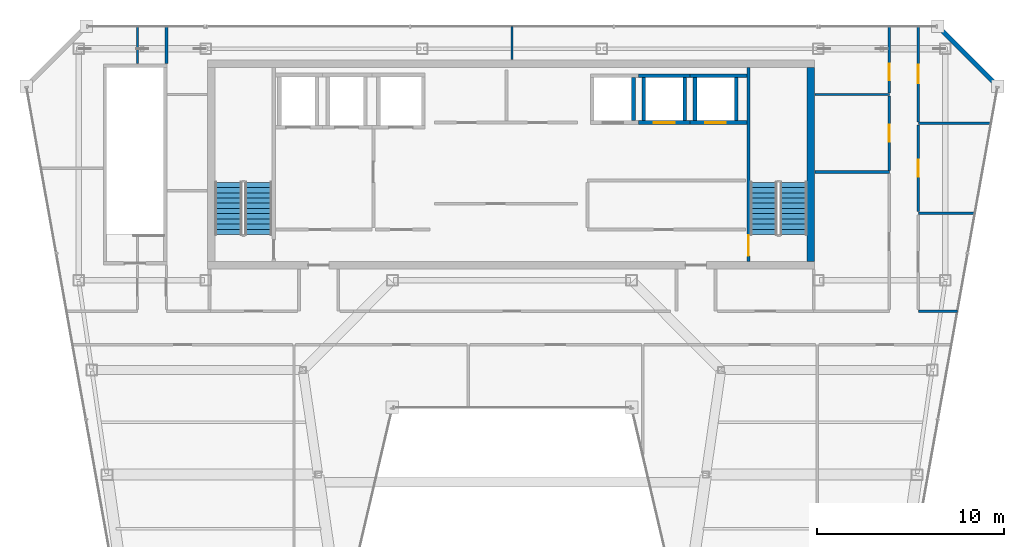
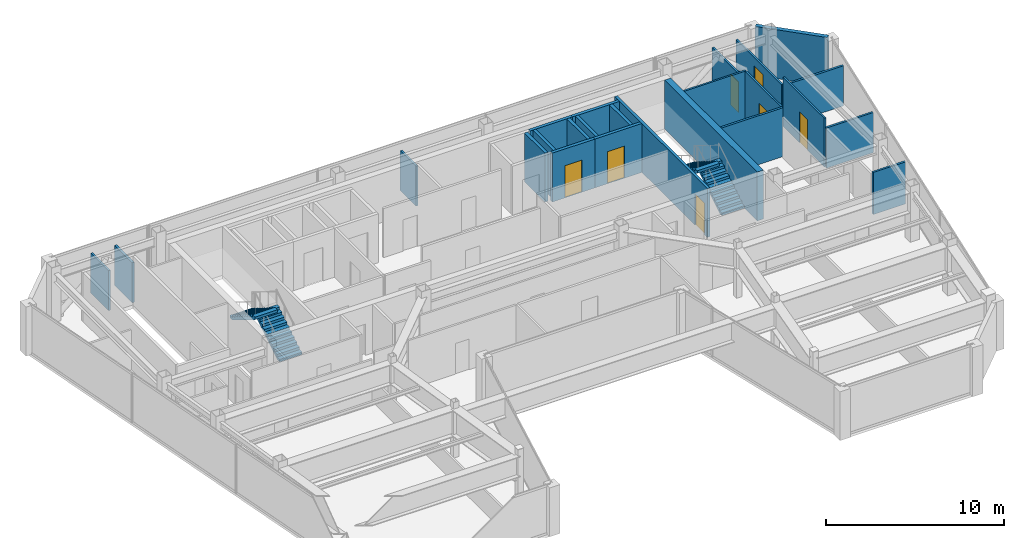
# One storey, part 27 of 30: 24 walls, 7 doors, 4 stair flights, 7 openings, 2 elements without a shape of their own.
"""IFC4 building model written with IfcOpenShell, lengths in metres."""

from ifc_helpers import new_model, si_unit, direction, frame, frame_2d, origin, place, context, subcontext, project, spatial, polyline, rectangle, outline, extrude, material, layer, layer_set, type_object, element, fill, aggregate, save


model = new_model("IFC4")

# Units and contexts
model_context = context("Model", 3, precision=1e-05, world=origin(), true_north=direction((0.0, 1.0)))
body_context = subcontext(model_context, "Body", "Model", "MODEL_VIEW")
ifc_project = project(units=[si_unit("LENGTHUNIT", "METRE"), si_unit("AREAUNIT", "SQUARE_METRE"), si_unit("VOLUMEUNIT", "CUBIC_METRE"), si_unit("PLANEANGLEUNIT", "RADIAN"), si_unit("MASSUNIT", "GRAM", prefix="KILO")], contexts=[model_context])

# Site, building, storey
site_placement = place(None, origin())
site = spatial("IfcSite", under=ifc_project, at=site_placement, CompositionType="ELEMENT")
building_placement = place(site_placement, origin())
building = spatial("IfcBuilding", under=site, at=building_placement, Name="Saevonmaru Cultural Tower", CompositionType="ELEMENT")
storey_placement = place(building_placement, frame((0.0, 0.0, 272.39990234375)))
storey = spatial("IfcBuildingStorey", under=building, at=storey_placement, Name="L64", CompositionType="ELEMENT", Elevation=272.39990234375)

# Walls
ifc_material_1 = material(Name="Concrete C50/60", Category="concrete")
ifc_layer_1 = layer(ifc_material_1, 0.39990234375, Name="Concrete C50/60")
ifc_layer_set_1 = layer_set([ifc_layer_1], Name="Concrete C50/60")
wall_type_1 = type_object("IfcWallType", Name="WL-CORE-400", PredefinedType="SHEAR", material=ifc_layer_set_1)
wall_1_placement = place(storey_placement, frame((46.0, 43.39990234375, 0.0), z_axis=(0.0, 0.0, 1.0), x_axis=(0.0, 1.0, 0.0)))
element("IfcWall", 1, at=wall_1_placement, inside=storey, type_object=wall_type_1, Name="L64 Tower RC core shear wall E", PredefinedType="SHEAR", context=body_context, shape_type="SweptSolid", body=[
    extrude(rectangle(XDim=10.400146484375, YDim=0.39990234375, at=frame_2d((5.2001953125, 0.0))), origin(), (0.0, 0.0, 1.0), 3.35009765625),
])
ifc_material_2 = material(Name="Granite-Clad Precast Concrete C40/50", Category="masonry")
ifc_layer_2 = layer(ifc_material_2, 0.260009765625, Name="Granite-Clad Precast Concrete C40/50")
ifc_layer_set_2 = layer_set([ifc_layer_2], Name="Granite-Clad Precast Concrete C40/50")
wall_type_2 = type_object("IfcWallType", Name="WL-EXT-SPANDREL-260", PredefinedType="STANDARD", material=ifc_layer_set_2)
wall_2_placement = place(storey_placement, frame((55.886962890625, 52.9130859375, 0.0), z_axis=(0.0, 0.0, 1.0), x_axis=(-0.707106781187, 0.707106781187, 0.0)))
element("IfcWall", 2, at=wall_2_placement, inside=storey, type_object=wall_type_2, Name="L64 Chamfer Corner Spandrel Wall E9", PredefinedType="STANDARD", context=body_context, shape_type="SweptSolid", body=[
    extrude(rectangle(XDim=4.205810546875, YDim=0.260009765625, at=frame_2d((2.10302734375, 0.0))), origin(), (0.0, 0.0, 1.0), 3.35009765625),
])
ifc_material_3 = material(Name="Gypsum Fireboard Partition", Category="gypsum")
ifc_layer_3 = layer(ifc_material_3, 0.14990234375, Name="Gypsum Fireboard Partition")
ifc_layer_set_3 = layer_set([ifc_layer_3], Name="Gypsum Fireboard Partition")
wall_type_3 = type_object("IfcWallType", Name="WL-PART-FIRE-150", PredefinedType="PARTITIONING", material=ifc_layer_set_3)
wall_3_placement = place(storey_placement, frame((11.5, 54.0, 0.0), z_axis=(0.0, 0.0, 1.0), x_axis=(0.0, 1.0, 0.0)))
element("IfcWall", 3, at=wall_3_placement, inside=storey, type_object=wall_type_3, Name="L64 Sculpture Study Gallery Corridor Wall", PredefinedType="PARTITIONING", context=body_context, shape_type="SweptSolid", body=[
    extrude(rectangle(XDim=1.9951171875, YDim=0.14990234375, at=frame_2d((0.99755859375, 0.0))), origin(), (0.0, 0.0, 1.0), 2.735107421875),
])
ifc_layer_4 = layer(ifc_material_3, 0.1201171875, Name="Gypsum Fireboard Partition")
ifc_layer_set_4 = layer_set([ifc_layer_4], Name="Gypsum Fireboard Partition")
wall_type_4 = type_object("IfcWallType", Name="WL-PART-GYP-120", PredefinedType="PARTITIONING", material=ifc_layer_set_4)
wall_4_placement = place(storey_placement, frame((46.219970703125, 52.35009765625, 0.0), z_axis=(0.0, 0.0, 1.0), x_axis=(1.0, 0.0, 0.0)))
element("IfcWall", 4, at=wall_4_placement, inside=storey, type_object=wall_type_4, Name="L64 North-East Panorama South Wall", PredefinedType="PARTITIONING", context=body_context, shape_type="SweptSolid", body=[
    extrude(rectangle(XDim=3.97998046875, YDim=0.1201171875, at=frame_2d((1.989990234375, 0.0))), origin(), (0.0, 0.0, 1.0), 3.35009765625),
])
wall_5_placement = place(storey_placement, frame((30.0, 54.219970703125, 0.0), z_axis=(0.0, 0.0, 1.0), x_axis=(0.0, 1.0, 0.0)))
element("IfcWall", 5, at=wall_5_placement, inside=storey, type_object=wall_type_4, Name="L64 North Panorama Center Split", PredefinedType="PARTITIONING", context=body_context, shape_type="SweptSolid", body=[
    extrude(rectangle(XDim=1.775146484375, YDim=0.1201171875, at=frame_2d((0.8876953125, 0.0))), origin(), (0.0, 0.0, 1.0), 2.735107421875),
])

# Wall, opening, door
wall_6_placement = place(storey_placement, frame((50.199951171875, 48.2900390625, 0.0), z_axis=(0.0, 0.0, 1.0), x_axis=(0.0, 1.0, 0.0)))
wall_6 = element("IfcWall", 6, at=wall_6_placement, inside=storey, type_object=wall_type_4, Name="L64 Visiting Fellows Office Corridor Wall", PredefinedType="PARTITIONING", context=body_context, shape_type="SweptSolid", body=[
    extrude(rectangle(XDim=3.97998046875, YDim=0.1201171875, at=frame_2d((1.989990234375, 0.0))), origin(), (0.0, 0.0, 1.0), 3.35009765625),
])
opening_1_placement = place(wall_6_placement, frame((1.5400390625, 0.0, 0.0)))
opening_1 = element("IfcOpeningElement", 7, at=opening_1_placement, cuts=wall_6, Name="Opening ID-2", PredefinedType="OPENING", context=body_context, shape_type="SweptSolid", body=[
    extrude(rectangle(XDim=0.89990234375, YDim=2.10009765625, at=frame_2d((0.449951171875, 1.050048828125))), frame((0.0, 0.070068359375, 0.0), z_axis=(0.0, -1.0, 0.0), x_axis=(1.0, 0.0, 0.0)), (0.0, 0.0, 1.0), 0.14013671875),
])
ifc_material_4 = material(Name="Acoustic Stained Oak Timber", Category="wood")
door_type_1 = type_object("IfcDoorType", Name="DR-INT-900", OperationType="SINGLE_SWING_RIGHT", PredefinedType="DOOR", material=ifc_material_4)
door_1_placement = place(opening_1_placement, origin())
door_1 = element("IfcDoor", 8, at=door_1_placement, inside=storey, type_object=door_type_1, Name="L64 Visiting Fellows Office Door", OperationType="SINGLE_SWING_LEFT", OverallHeight=2.10009765625, OverallWidth=0.89990234375, PredefinedType="DOOR", context=body_context, shape_type="SweptSolid", body=[
    extrude(rectangle(XDim=0.89990234375, YDim=2.10009765625, at=frame_2d((0.449951171875, 1.050048828125))), frame((0.0, 0.02490234375, 0.0), z_axis=(0.0, -1.0, 0.0), x_axis=(1.0, 0.0, 0.0)), (0.0, 0.0, 1.0), 0.050048828125),
])
fill(opening_1, door_1)

wall_7_placement = place(storey_placement, frame((50.199951171875, 52.429931640625, 0.0), z_axis=(0.0, 0.0, 1.0), x_axis=(0.0, 1.0, 0.0)))
wall_7 = element("IfcWall", 9, at=wall_7_placement, inside=storey, type_object=wall_type_4, Name="L64 Digital Humanities Office Corridor Wall", PredefinedType="PARTITIONING", context=body_context, shape_type="SweptSolid", body=[
    extrude(rectangle(XDim=3.565185546875, YDim=0.1201171875, at=frame_2d((1.78271484375, 0.0))), origin(), (0.0, 0.0, 1.0), 2.735107421875),
])
opening_2_placement = place(wall_7_placement, frame((0.672119140625, 0.0, 0.0)))
opening_2 = element("IfcOpeningElement", 10, at=opening_2_placement, cuts=wall_7, Name="Opening ID-2", PredefinedType="OPENING", context=body_context, shape_type="SweptSolid", body=[
    extrude(rectangle(XDim=0.89990234375, YDim=2.10009765625, at=frame_2d((0.449951171875, 1.050048828125))), frame((0.0, 0.070068359375, 0.0), z_axis=(0.0, -1.0, 0.0), x_axis=(1.0, 0.0, 0.0)), (0.0, 0.0, 1.0), 0.14013671875),
])
door_2_placement = place(opening_2_placement, origin())
door_2 = element("IfcDoor", 11, at=door_2_placement, inside=storey, type_object=door_type_1, Name="L64 Digital Humanities Office Door", OperationType="SINGLE_SWING_RIGHT", OverallHeight=2.10009765625, OverallWidth=0.89990234375, PredefinedType="DOOR", context=body_context, shape_type="SweptSolid", body=[
    extrude(rectangle(XDim=0.89990234375, YDim=2.10009765625, at=frame_2d((0.449951171875, 1.050048828125))), frame((0.0, 0.02490234375, 0.0), z_axis=(0.0, -1.0, 0.0), x_axis=(1.0, 0.0, 0.0)), (0.0, 0.0, 1.0), 0.050048828125),
])
fill(opening_2, door_2)

# Wall
wall_8_placement = place(storey_placement, frame((9.949951171875, 54.0, 0.0), z_axis=(0.0, 0.0, 1.0), x_axis=(0.0, 1.0, 0.0)))
element("IfcWall", 12, at=wall_8_placement, inside=storey, type_object=wall_type_4, Name="L64 Digital Humanities Office Corridor Wall", PredefinedType="PARTITIONING", context=body_context, shape_type="SweptSolid", body=[
    extrude(rectangle(XDim=1.9951171875, YDim=0.1201171875, at=frame_2d((0.99755859375, 0.0))), origin(), (0.0, 0.0, 1.0), 2.735107421875),
])

# Wall, opening, door
wall_9_placement = place(storey_placement, frame((51.75, 46.08740234375, 0.0), z_axis=(0.0, 0.0, 1.0), x_axis=(0.0, 1.0, 0.0)))
wall_9 = element("IfcWall", 13, at=wall_9_placement, inside=storey, type_object=wall_type_4, Name="L64 Digital Media Classroom Corridor Wall", PredefinedType="PARTITIONING", context=body_context, shape_type="SweptSolid", body=[
    extrude(rectangle(XDim=4.625, YDim=0.1201171875, at=frame_2d((2.3125, 0.0))), origin(), (0.0, 0.0, 1.0), 3.35009765625),
])
opening_3_placement = place(wall_9_placement, frame((1.863037109375, 0.0, 0.0)))
opening_3 = element("IfcOpeningElement", 14, at=opening_3_placement, cuts=wall_9, Name="Opening ID-2", PredefinedType="OPENING", context=body_context, shape_type="SweptSolid", body=[
    extrude(rectangle(XDim=0.89990234375, YDim=2.10009765625, at=frame_2d((0.449951171875, 1.050048828125))), frame((0.0, 0.070068359375, 0.0), z_axis=(0.0, -1.0, 0.0), x_axis=(1.0, 0.0, 0.0)), (0.0, 0.0, 1.0), 0.14013671875),
])
door_3_placement = place(opening_3_placement, origin())
door_3 = element("IfcDoor", 15, at=door_3_placement, inside=storey, type_object=door_type_1, Name="L64 Digital Media Classroom Door", OperationType="SINGLE_SWING_RIGHT", OverallHeight=2.10009765625, OverallWidth=0.89990234375, PredefinedType="DOOR", context=body_context, shape_type="SweptSolid", body=[
    extrude(rectangle(XDim=0.89990234375, YDim=2.10009765625, at=frame_2d((0.449951171875, 1.050048828125))), frame((0.0, 0.02490234375, 0.0), z_axis=(0.0, -1.0, 0.0), x_axis=(1.0, 0.0, 0.0)), (0.0, 0.0, 1.0), 0.050048828125),
])
fill(opening_3, door_3)

wall_10_placement = place(storey_placement, frame((51.75, 50.887451171875, 0.0), z_axis=(0.0, 0.0, 1.0), x_axis=(0.0, 1.0, 0.0)))
wall_10 = element("IfcWall", 16, at=wall_10_placement, inside=storey, type_object=wall_type_4, Name="L64 Horizon Espresso Cafe Corridor Wall", PredefinedType="PARTITIONING", context=body_context, shape_type="SweptSolid", body=[
    extrude(rectangle(XDim=5.107666015625, YDim=0.1201171875, at=frame_2d((2.5537109375, 0.0))), origin(), (0.0, 0.0, 1.0), 2.735107421875),
])
opening_4_placement = place(wall_10_placement, frame((2.053955078125, 0.0, 0.0)))
opening_4 = element("IfcOpeningElement", 17, at=opening_4_placement, cuts=wall_10, Name="Opening ID-1B", PredefinedType="OPENING", context=body_context, shape_type="SweptSolid", body=[
    extrude(rectangle(XDim=1.0, YDim=2.14990234375, at=frame_2d((0.5, 1.074951171875))), frame((0.0, 0.070068359375, 0.0), z_axis=(0.0, -1.0, 0.0), x_axis=(1.0, 0.0, 0.0)), (0.0, 0.0, 1.0), 0.14013671875),
])
door_type_2 = type_object("IfcDoorType", Name="DR-INT-1000", OperationType="SINGLE_SWING_RIGHT", PredefinedType="DOOR", material=ifc_material_4)
door_4_placement = place(opening_4_placement, origin())
door_4 = element("IfcDoor", 18, at=door_4_placement, inside=storey, type_object=door_type_2, Name="L64 Horizon Espresso Cafe Door", OperationType="SINGLE_SWING_LEFT", OverallHeight=2.14990234375, OverallWidth=1.0, PredefinedType="DOOR", context=body_context, shape_type="SweptSolid", body=[
    extrude(rectangle(XDim=1.0, YDim=2.14990234375, at=frame_2d((0.5, 1.074951171875))), frame((0.0, 0.02490234375, 0.0), z_axis=(0.0, -1.0, 0.0), x_axis=(1.0, 0.0, 0.0)), (0.0, 0.0, 1.0), 0.050048828125),
])
fill(opening_4, door_4)

# Walls
ifc_layer_5 = layer(ifc_material_3, 0.135009765625, Name="Gypsum Fireboard Partition")
ifc_layer_set_5 = layer_set([ifc_layer_5], Name="Gypsum Fireboard Partition")
wall_type_5 = type_object("IfcWallType", Name="WL-PART-GYP-135", PredefinedType="PARTITIONING", material=ifc_layer_set_5)
wall_11_placement = place(storey_placement, frame((51.75, 40.75, 0.0), z_axis=(0.0, 0.0, 1.0), x_axis=(1.0, 0.0, 0.0)))
element("IfcWall", 19, at=wall_11_placement, inside=storey, type_object=wall_type_5, Name="L64 NE Wing South Wall", PredefinedType="PARTITIONING", context=body_context, shape_type="SweptSolid", body=[
    extrude(rectangle(XDim=2.088623046875, YDim=0.135009765625, at=frame_2d((1.04443359375, 0.0))), origin(), (0.0, 0.0, 1.0), 2.885009765625),
])
wall_12_placement = place(storey_placement, frame((51.75, 46.0, 0.0), z_axis=(0.0, 0.0, 1.0), x_axis=(1.0, 0.0, 0.0)))
element("IfcWall", 20, at=wall_12_placement, inside=storey, type_object=wall_type_5, Name="L64 NE Studio Divider 1", PredefinedType="PARTITIONING", context=body_context, shape_type="SweptSolid", body=[
    extrude(rectangle(XDim=3.028076171875, YDim=0.135009765625, at=frame_2d((1.51416015625, 0.0))), origin(), (0.0, 0.0, 1.0), 2.7470703125),
])
wall_13_placement = place(storey_placement, frame((51.75, 50.800048828125, 0.0), z_axis=(0.0, 0.0, 1.0), x_axis=(1.0, 0.0, 0.0)))
element("IfcWall", 21, at=wall_13_placement, inside=storey, type_object=wall_type_5, Name="L64 NE Studio Divider 2", PredefinedType="PARTITIONING", context=body_context, shape_type="SweptSolid", body=[
    extrude(rectangle(XDim=3.886962890625, YDim=0.135009765625, at=frame_2d((1.943359375, 0.0))), origin(), (0.0, 0.0, 1.0), 2.7470703125),
])
ifc_layer_6 = layer(ifc_material_3, 0.139892578125, Name="Gypsum Fireboard Partition")
ifc_layer_set_6 = layer_set([ifc_layer_6], Name="Gypsum Fireboard Partition")
wall_type_6 = type_object("IfcWallType", Name="WL-PART-WET-140", PredefinedType="PARTITIONING", material=ifc_layer_set_6)
wall_14_placement = place(storey_placement, frame((46.219970703125, 48.199951171875, 0.0), z_axis=(0.0, 0.0, 1.0), x_axis=(1.0, 0.0, 0.0)))
element("IfcWall", 22, at=wall_14_placement, inside=storey, type_object=wall_type_6, Name="L64 Washroom North Wall", PredefinedType="PARTITIONING", context=body_context, shape_type="SweptSolid", body=[
    extrude(rectangle(XDim=3.97998046875, YDim=0.139892578125, at=frame_2d((1.989990234375, 0.0))), origin(), (0.0, 0.0, 1.0), 3.35009765625),
])
ifc_material_5 = material(Name="Concrete C40/50", Category="concrete")
ifc_layer_7 = layer(ifc_material_5, 0.199951171875, Name="Concrete C40/50")
ifc_layer_set_7 = layer_set([ifc_layer_7], Name="Concrete C40/50")
wall_type_7 = type_object("IfcWallType", Name="WL-SHAFT-200", PredefinedType="SHEAR", material=ifc_layer_set_7)
wall_15_placement = place(storey_placement, frame((36.5, 50.949951171875, 0.0), z_axis=(0.0, 0.0, 1.0), x_axis=(0.0, 1.0, 0.0)))
element("IfcWall", 23, at=wall_15_placement, inside=storey, type_object=wall_type_7, Name="L64 Lift PL-H1 Hoistway Wall E", PredefinedType="SHEAR", context=body_context, shape_type="SweptSolid", body=[
    extrude(rectangle(XDim=2.300048828125, YDim=0.199951171875, at=frame_2d((1.14990234375, 0.0))), origin(), (0.0, 0.0, 1.0), 3.35009765625),
])

# Wall, opening, door
wall_16_placement = place(storey_placement, frame((36.77490234375, 50.85009765625, 0.0), z_axis=(0.0, 0.0, 1.0), x_axis=(1.0, 0.0, 0.0)))
wall_16 = element("IfcWall", 24, at=wall_16_placement, inside=storey, type_object=wall_type_7, Name="L64 Lift PL-H2 Hoistway Wall S", PredefinedType="SHEAR", context=body_context, shape_type="SweptSolid", body=[
    extrude(rectangle(XDim=2.75, YDim=0.199951171875, at=frame_2d((1.375, 0.0))), origin(), (0.0, 0.0, 1.0), 3.35009765625),
])
opening_5_placement = place(wall_16_placement, frame((0.824951171875, 0.0, 0.0)))
opening_5 = element("IfcOpeningElement", 25, at=opening_5_placement, cuts=wall_16, Name="Opening LD-1", PredefinedType="OPENING", context=body_context, shape_type="SweptSolid", body=[
    extrude(rectangle(XDim=1.10009765625, YDim=2.199951171875, at=frame_2d((0.550048828125, 1.10009765625))), frame((0.0, 0.10986328125, 0.0), z_axis=(0.0, -1.0, 0.0), x_axis=(1.0, 0.0, 0.0)), (0.0, 0.0, 1.0), 0.219970703125),
])
ifc_material_6 = material(Name="Satin Bronze Stainless Steel", Category="steel")
door_type_3 = type_object("IfcDoorType", Name="DR-LIFT-1100", OperationType="SLIDING_TO_LEFT", PredefinedType="DOOR", material=ifc_material_6)
door_5_placement = place(opening_5_placement, origin())
door_5 = element("IfcDoor", 26, at=door_5_placement, inside=storey, type_object=door_type_3, Name="L64 Lift PL-H2 Sliding Landing Door", OperationType="SLIDING_TO_LEFT", OverallHeight=2.199951171875, OverallWidth=1.10009765625, PredefinedType="DOOR", context=body_context, shape_type="SweptSolid", body=[
    extrude(rectangle(XDim=1.10009765625, YDim=2.199951171875, at=frame_2d((0.550048828125, 1.10009765625))), frame((0.0, 0.02490234375, 0.0), z_axis=(0.0, -1.0, 0.0), x_axis=(1.0, 0.0, 0.0)), (0.0, 0.0, 1.0), 0.050048828125),
])
fill(opening_5, door_5)

# Walls
wall_17_placement = place(storey_placement, frame((36.77490234375, 53.35009765625, 0.0), z_axis=(0.0, 0.0, 1.0), x_axis=(1.0, 0.0, 0.0)))
element("IfcWall", 27, at=wall_17_placement, inside=storey, type_object=wall_type_7, Name="L64 Lift PL-H2 Hoistway Wall N", PredefinedType="SHEAR", context=body_context, shape_type="SweptSolid", body=[
    extrude(rectangle(XDim=2.75, YDim=0.199951171875, at=frame_2d((1.375, 0.0))), origin(), (0.0, 0.0, 1.0), 3.35009765625),
])
for number, where, z_axis, x_axis, name in (
    (28, (37.050048828125, 50.949951171875, 0.0), (0.0, 0.0, 1.0), (0.0, 1.0, 0.0), "L64 Lift PL-H2 Hoistway Wall W"),
    (29, (39.25, 50.949951171875, 0.0), (0.0, 0.0, 1.0), (0.0, 1.0, 0.0), "L64 Lift PL-H2 Hoistway Wall E"),
):
    element("IfcWall", number, at=place(storey_placement, frame(where, z_axis=z_axis, x_axis=x_axis)), inside=storey, type_object=wall_type_7, Name=name, PredefinedType="SHEAR", context=body_context, shape_type="SweptSolid", body=[
        extrude(rectangle(XDim=2.300048828125, YDim=0.199951171875, at=frame_2d((1.14990234375, 0.0))), origin(), (0.0, 0.0, 1.0), 3.35009765625),
    ])

# Wall, opening, door
wall_18_placement = place(storey_placement, frame((39.52490234375, 50.85009765625, 0.0), z_axis=(0.0, 0.0, 1.0), x_axis=(1.0, 0.0, 0.0)))
wall_18 = element("IfcWall", 30, at=wall_18_placement, inside=storey, type_object=wall_type_7, Name="L64 Lift PL-H3 Hoistway Wall S", PredefinedType="SHEAR", context=body_context, shape_type="SweptSolid", body=[
    extrude(rectangle(XDim=3.045166015625, YDim=0.199951171875, at=frame_2d((1.5224609375, 0.0))), origin(), (0.0, 0.0, 1.0), 3.35009765625),
])
opening_6_placement = place(wall_18_placement, frame((0.824951171875, 0.0, 0.0)))
opening_6 = element("IfcOpeningElement", 31, at=opening_6_placement, cuts=wall_18, Name="Opening LD-1", PredefinedType="OPENING", context=body_context, shape_type="SweptSolid", body=[
    extrude(rectangle(XDim=1.10009765625, YDim=2.199951171875, at=frame_2d((0.550048828125, 1.10009765625))), frame((0.0, 0.10986328125, 0.0), z_axis=(0.0, -1.0, 0.0), x_axis=(1.0, 0.0, 0.0)), (0.0, 0.0, 1.0), 0.219970703125),
])
door_6_placement = place(opening_6_placement, origin())
door_6 = element("IfcDoor", 32, at=door_6_placement, inside=storey, type_object=door_type_3, Name="L64 Lift PL-H3 Sliding Landing Door", OperationType="SLIDING_TO_LEFT", OverallHeight=2.199951171875, OverallWidth=1.10009765625, PredefinedType="DOOR", context=body_context, shape_type="SweptSolid", body=[
    extrude(rectangle(XDim=1.10009765625, YDim=2.199951171875, at=frame_2d((0.550048828125, 1.10009765625))), frame((0.0, 0.02490234375, 0.0), z_axis=(0.0, -1.0, 0.0), x_axis=(1.0, 0.0, 0.0)), (0.0, 0.0, 1.0), 0.050048828125),
])
fill(opening_6, door_6)

# Walls
wall_19_placement = place(storey_placement, frame((39.52490234375, 53.35009765625, 0.0), z_axis=(0.0, 0.0, 1.0), x_axis=(1.0, 0.0, 0.0)))
element("IfcWall", 33, at=wall_19_placement, inside=storey, type_object=wall_type_7, Name="L64 Lift PL-H3 Hoistway Wall N", PredefinedType="SHEAR", context=body_context, shape_type="SweptSolid", body=[
    extrude(rectangle(XDim=3.045166015625, YDim=0.199951171875, at=frame_2d((1.5224609375, 0.0))), origin(), (0.0, 0.0, 1.0), 3.35009765625),
])
for number, where, z_axis, x_axis, name in (
    (34, (39.800048828125, 50.949951171875, 0.0), (0.0, 0.0, 1.0), (0.0, 1.0, 0.0), "L64 Lift PL-H3 Hoistway Wall W"),
    (35, (42.0, 50.949951171875, 0.0), (0.0, 0.0, 1.0), (0.0, 1.0, 0.0), "L64 Lift PL-H3 Hoistway Wall E"),
):
    element("IfcWall", number, at=place(storey_placement, frame(where, z_axis=z_axis, x_axis=x_axis)), inside=storey, type_object=wall_type_7, Name=name, PredefinedType="SHEAR", context=body_context, shape_type="SweptSolid", body=[
        extrude(rectangle(XDim=2.300048828125, YDim=0.199951171875, at=frame_2d((1.14990234375, 0.0))), origin(), (0.0, 0.0, 1.0), 3.35009765625),
    ])

# Wall, opening, door
ifc_layer_8 = layer(ifc_material_5, 0.179931640625, Name="Concrete C40/50")
ifc_layer_set_8 = layer_set([ifc_layer_8], Name="Concrete C40/50")
wall_type_8 = type_object("IfcWallType", Name="WL-STSHAFT-180", PredefinedType="SHEAR", material=ifc_layer_set_8)
wall_20_placement = place(storey_placement, frame((42.659912109375, 53.800048828125, 0.0), z_axis=(0.0, 0.0, 1.0), x_axis=(0.0, -1.0, 0.0)))
wall_20 = element("IfcWall", 36, at=wall_20_placement, inside=storey, type_object=wall_type_8, Name="L64 Stair ST-2 Structural Shaft Wall 1", PredefinedType="SHEAR", context=body_context, shape_type="SweptSolid", body=[
    extrude(rectangle(XDim=10.400146484375, YDim=0.179931640625, at=frame_2d((5.2001953125, 0.0))), origin(), (0.0, 0.0, 1.0), 3.35009765625),
])
opening_7_placement = place(wall_20_placement, frame((8.989990234375, 0.0, 0.0)))
opening_7 = element("IfcOpeningElement", 37, at=opening_7_placement, cuts=wall_20, Name="Opening FD-2", PredefinedType="OPENING", context=body_context, shape_type="SweptSolid", body=[
    extrude(rectangle(XDim=1.10009765625, YDim=2.14990234375, at=frame_2d((0.550048828125, 1.074951171875))), frame((0.0, 0.10009765625, 0.0), z_axis=(0.0, -1.0, 0.0), x_axis=(1.0, 0.0, 0.0)), (0.0, 0.0, 1.0), 0.199951171875),
])
ifc_material_7 = material(Name="Satin Bronze Anodised Aluminium", Category="aluminium")
door_type_4 = type_object("IfcDoorType", Name="DR-FD60-1100", OperationType="SINGLE_SWING_LEFT", PredefinedType="DOOR", material=ifc_material_7)
door_7_placement = place(opening_7_placement, origin())
door_7 = element("IfcDoor", 38, at=door_7_placement, inside=storey, type_object=door_type_4, Name="L64 Protected Stair ST-2 Fire Door", OperationType="SINGLE_SWING_LEFT", OverallHeight=2.14990234375, OverallWidth=1.10009765625, PredefinedType="DOOR", context=body_context, shape_type="SweptSolid", body=[
    extrude(rectangle(XDim=1.10009765625, YDim=2.14990234375, at=frame_2d((0.550048828125, 1.074951171875))), frame((0.0, 0.02490234375, 0.0), z_axis=(0.0, -1.0, 0.0), x_axis=(1.0, 0.0, 0.0)), (0.0, 0.0, 1.0), 0.050048828125),
])
fill(opening_7, door_7)

# Stair, stair flights
stair_type = type_object("IfcStairType", Name="STR-DOGLEG-RC", PredefinedType="HALF_TURN_STAIR", material=ifc_material_5)
stair_1_placement = place(storey_placement, origin())
stair_1 = element("IfcStair", 39, at=stair_1_placement, inside=storey, type_object=stair_type, Name="L64 Protected exit stair ST-1", PredefinedType="HALF_TURN_STAIR")
ifc_material_8 = material(Name="Precast concrete C40/50", Category="concrete")
stair_flight_type = type_object("IfcStairFlightType", Name="STF-PRECAST-180", PredefinedType="STRAIGHT", material=ifc_material_8)
stair_flight_1_placement = place(storey_placement, frame((16.425048828125, 44.85009765625, 0.0), z_axis=(0.0, 0.0, 1.0), x_axis=(0.0, 1.0, 0.0)))
stair_flight_1 = element("IfcStairFlight", 40, at=stair_flight_1_placement, type_object=stair_flight_type, Name="ST-1-L64 flight 1", NumberOfRisers=11, NumberOfTreads=10, PredefinedType="STRAIGHT", RiserHeight=0.172727273, TreadLength=0.28, context=body_context, shape_type="SweptSolid", body=[
    extrude(outline(polyline([(0.0, 0.0), (0.0, 0.172607421875), (0.280029296875, 0.172607421875), (0.280029296875, 0.345458984375), (0.56005859375, 0.345458984375), (0.56005859375, 0.51806640625), (0.840087890625, 0.51806640625), (0.840087890625, 0.69091796875), (1.1201171875, 0.69091796875), (1.1201171875, 0.863525390625), (1.39990234375, 0.863525390625), (1.39990234375, 1.036376953125), (1.679931640625, 1.036376953125), (1.679931640625, 1.208984375), (1.9599609375, 1.208984375), (1.9599609375, 1.3818359375), (2.239990234375, 1.3818359375), (2.239990234375, 1.554443359375), (2.52001953125, 1.554443359375), (2.52001953125, 1.727294921875), (2.800048828125, 1.727294921875), (2.800048828125, 1.89990234375), (2.800048828125, 1.551025390625), (0.285400390625, 0.0), (0.0, 0.0)])), frame((0.0, 0.72509765625, 0.0), z_axis=(0.0, -1.0, 0.0), x_axis=(1.0, 0.0, 0.0)), (0.0, 0.0, 1.0), 1.449951171875),
])
stair_flight_2_placement = place(storey_placement, frame((14.824951171875, 47.64990234375, 1.900146484375), z_axis=(0.0, 0.0, 1.0), x_axis=(0.0, -1.0, 0.0)))
stair_flight_2 = element("IfcStairFlight", 41, at=stair_flight_2_placement, type_object=stair_flight_type, Name="ST-1-L64 flight 2", NumberOfRisers=11, NumberOfTreads=10, PredefinedType="STRAIGHT", RiserHeight=0.172727273, TreadLength=0.28, context=body_context, shape_type="SweptSolid", body=[
    extrude(outline(polyline([(0.0, 0.0), (0.0, 0.172607421875), (0.280029296875, 0.172607421875), (0.280029296875, 0.345458984375), (0.56005859375, 0.345458984375), (0.56005859375, 0.51806640625), (0.840087890625, 0.51806640625), (0.840087890625, 0.69091796875), (1.1201171875, 0.69091796875), (1.1201171875, 0.863525390625), (1.39990234375, 0.863525390625), (1.39990234375, 1.036376953125), (1.679931640625, 1.036376953125), (1.679931640625, 1.208984375), (1.9599609375, 1.208984375), (1.9599609375, 1.3818359375), (2.239990234375, 1.3818359375), (2.239990234375, 1.554443359375), (2.52001953125, 1.554443359375), (2.52001953125, 1.727294921875), (2.800048828125, 1.727294921875), (2.800048828125, 1.89990234375), (2.800048828125, 1.551025390625), (0.285400390625, 0.0), (0.0, 0.0)])), frame((0.0, 0.72509765625, 0.0), z_axis=(0.0, -1.0, 0.0), x_axis=(1.0, 0.0, 0.0)), (0.0, 0.0, 1.0), 1.449951171875),
])
aggregate(stair_1, [stair_flight_1, stair_flight_2])

stair_2_placement = place(storey_placement, origin())
stair_2 = element("IfcStair", 42, at=stair_2_placement, inside=storey, type_object=stair_type, Name="L64 Protected exit stair ST-2", PredefinedType="HALF_TURN_STAIR")
stair_flight_3_placement = place(storey_placement, frame((45.074951171875, 44.85009765625, 0.0), z_axis=(0.0, 0.0, 1.0), x_axis=(0.0, 1.0, 0.0)))
stair_flight_3 = element("IfcStairFlight", 43, at=stair_flight_3_placement, type_object=stair_flight_type, Name="ST-2-L64 flight 1", NumberOfRisers=11, NumberOfTreads=10, PredefinedType="STRAIGHT", RiserHeight=0.172727273, TreadLength=0.28, context=body_context, shape_type="SweptSolid", body=[
    extrude(outline(polyline([(0.0, 0.0), (0.0, 0.172607421875), (0.280029296875, 0.172607421875), (0.280029296875, 0.345458984375), (0.56005859375, 0.345458984375), (0.56005859375, 0.51806640625), (0.840087890625, 0.51806640625), (0.840087890625, 0.69091796875), (1.1201171875, 0.69091796875), (1.1201171875, 0.863525390625), (1.39990234375, 0.863525390625), (1.39990234375, 1.036376953125), (1.679931640625, 1.036376953125), (1.679931640625, 1.208984375), (1.9599609375, 1.208984375), (1.9599609375, 1.3818359375), (2.239990234375, 1.3818359375), (2.239990234375, 1.554443359375), (2.52001953125, 1.554443359375), (2.52001953125, 1.727294921875), (2.800048828125, 1.727294921875), (2.800048828125, 1.89990234375), (2.800048828125, 1.551025390625), (0.285400390625, 0.0), (0.0, 0.0)])), frame((0.0, 0.72509765625, 0.0), z_axis=(0.0, -1.0, 0.0), x_axis=(1.0, 0.0, 0.0)), (0.0, 0.0, 1.0), 1.449951171875),
])
stair_flight_4_placement = place(storey_placement, frame((43.47509765625, 47.64990234375, 1.900146484375), z_axis=(0.0, 0.0, 1.0), x_axis=(0.0, -1.0, 0.0)))
stair_flight_4 = element("IfcStairFlight", 44, at=stair_flight_4_placement, type_object=stair_flight_type, Name="ST-2-L64 flight 2", NumberOfRisers=11, NumberOfTreads=10, PredefinedType="STRAIGHT", RiserHeight=0.172727273, TreadLength=0.28, context=body_context, shape_type="SweptSolid", body=[
    extrude(outline(polyline([(0.0, 0.0), (0.0, 0.172607421875), (0.280029296875, 0.172607421875), (0.280029296875, 0.345458984375), (0.56005859375, 0.345458984375), (0.56005859375, 0.51806640625), (0.840087890625, 0.51806640625), (0.840087890625, 0.69091796875), (1.1201171875, 0.69091796875), (1.1201171875, 0.863525390625), (1.39990234375, 0.863525390625), (1.39990234375, 1.036376953125), (1.679931640625, 1.036376953125), (1.679931640625, 1.208984375), (1.9599609375, 1.208984375), (1.9599609375, 1.3818359375), (2.239990234375, 1.3818359375), (2.239990234375, 1.554443359375), (2.52001953125, 1.554443359375), (2.52001953125, 1.727294921875), (2.800048828125, 1.727294921875), (2.800048828125, 1.89990234375), (2.800048828125, 1.551025390625), (0.285400390625, 0.0), (0.0, 0.0)])), frame((0.0, 0.72509765625, 0.0), z_axis=(0.0, -1.0, 0.0), x_axis=(1.0, 0.0, 0.0)), (0.0, 0.0, 1.0), 1.449951171875),
])
aggregate(stair_2, [stair_flight_3, stair_flight_4])

save(model, "model.ifc")
